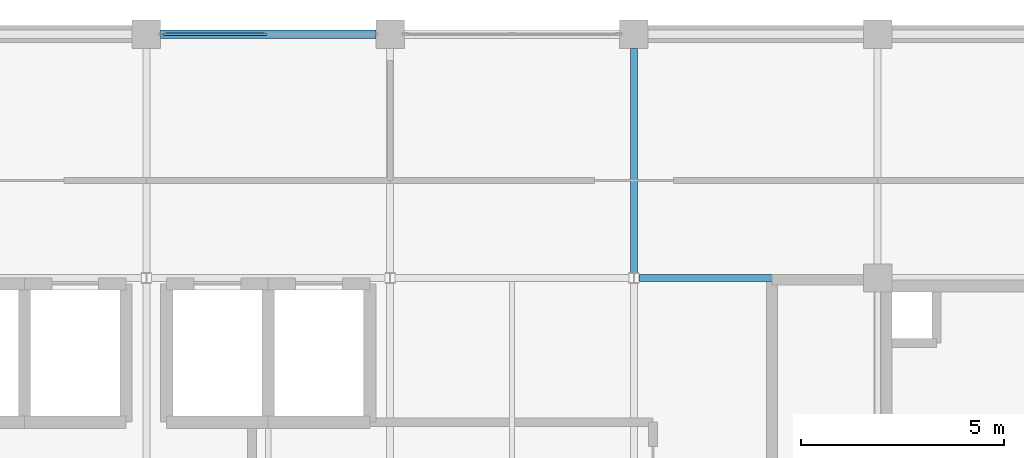
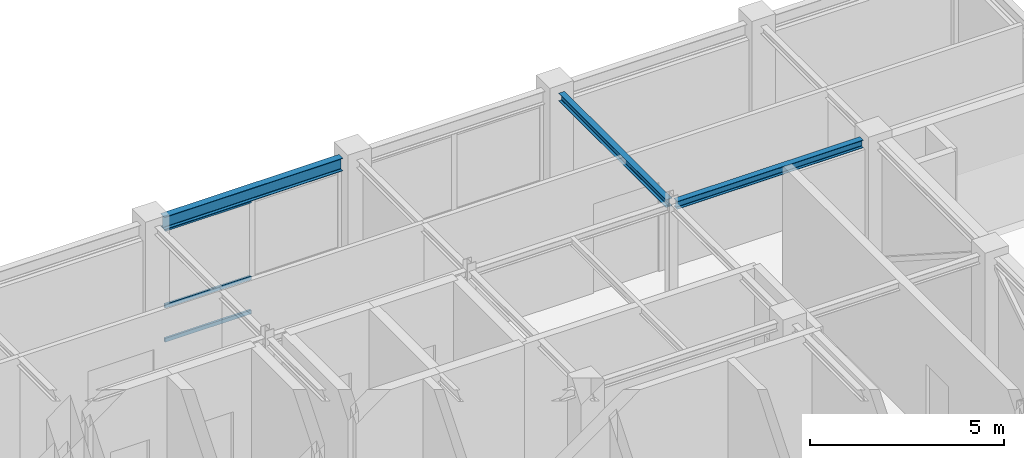
# One storey, part 9 of 14: 3 beams, 3 members, 1 element without a shape of its own.
"""IFC4 building model written with IfcOpenShell, lengths in metres."""

from ifc_helpers import new_model, si_unit, direction, frame, origin, origin_2d, place, context, subcontext, project, spatial, hollow_rectangle, i_section, extrude, material, layer, layer_set, material_profile, profile_set, type_object, element, aggregate, save


model = new_model("IFC4")

# Units and contexts
model_context = context("Model", 3, precision=1e-05, world=origin(), true_north=direction((0.0, 1.0)))
body_context = subcontext(model_context, "Body", "Model", "MODEL_VIEW")
ifc_project = project(units=[si_unit("LENGTHUNIT", "METRE"), si_unit("AREAUNIT", "SQUARE_METRE"), si_unit("VOLUMEUNIT", "CUBIC_METRE"), si_unit("PLANEANGLEUNIT", "RADIAN"), si_unit("MASSUNIT", "GRAM", prefix="KILO")], contexts=[model_context])

# Site, building, storey
site_placement = place(None, origin())
site = spatial("IfcSite", under=ifc_project, at=site_placement, CompositionType="ELEMENT")
building_placement = place(site_placement, origin())
building = spatial("IfcBuilding", under=site, at=building_placement, Name="Zlatovratsky Civic Hall", CompositionType="ELEMENT")
storey_placement = place(building_placement, frame((0.0, 0.0, 67.800048828125)))
storey = spatial("IfcBuildingStorey", under=building, at=storey_placement, Name="L17", CompositionType="ELEMENT", Elevation=67.800048828125)

# Beams
ifc_material_1 = material(Name="Steel S355", Category="steel")
ifc_material_profile_1 = material_profile(ifc_material_1, i_section(OverallWidth=0.175048828125, OverallDepth=0.243896484375, WebThickness=0.007080078125, FlangeThickness=0.010986328125, FilletRadius=0.01611328125, at=origin_2d()), Name="25Sh1")
ifc_profile_set_1 = profile_set([ifc_material_profile_1], Name="Steel S355")
beam_type_1 = type_object("IfcBeamType", Name="Beam_Crown_25Sh1", PredefinedType="BEAM", material=ifc_profile_set_1)
for number, where, z_axis, x_axis, name in (
    (1, (90.125, 96.0, 3.837890625), (1.0, 0.0, 0.0), (0.0, 1.0, 0.0), "BM-5213"),
    (2, (90.0, 96.125, 3.837890625), (0.0, 1.0, 0.0), (-1.0, 0.0, 0.0), "BM-5240"),
):
    element("IfcBeam", number, at=place(storey_placement, frame(where, z_axis=z_axis, x_axis=x_axis)), inside=storey, type_object=beam_type_1, Name=name, PredefinedType="BEAM", context=body_context, shape_type="SweptSolid", body=[
        extrude(i_section(OverallWidth=0.175048828125, OverallDepth=0.243896484375, WebThickness=0.007080078125, FlangeThickness=0.010986328125, FilletRadius=0.01611328125, at=origin_2d()), origin(), (0.0, 0.0, 1.0), 5.52490234375),
    ])
ifc_material_profile_2 = material_profile(ifc_material_1, i_section(OverallWidth=0.199951171875, OverallDepth=0.39990234375, WebThickness=0.008056640625, FlangeThickness=0.012939453125, FilletRadius=0.014892578125, at=origin_2d()), Name="40B2")
ifc_profile_set_2 = profile_set([ifc_material_profile_2], Name="Steel S355")
beam_type_2 = type_object("IfcBeamType", Name="Beam_Spandrel_40B2", PredefinedType="SPANDREL", material=ifc_profile_set_2)
beam_placement = place(storey_placement, frame((78.35009765625, 102.0, 3.760009765625), z_axis=(1.0, 0.0, 0.0), x_axis=(0.0, 1.0, 0.0)))
element("IfcBeam", 3, at=beam_placement, inside=storey, type_object=beam_type_2, Name="BM-5217", PredefinedType="SPANDREL", context=body_context, shape_type="SweptSolid", body=[
    extrude(i_section(OverallWidth=0.199951171875, OverallDepth=0.39990234375, WebThickness=0.008056640625, FlangeThickness=0.012939453125, FilletRadius=0.014892578125, at=origin_2d()), origin(), (0.0, 0.0, 1.0), 5.2998046875),
])

# Curtain wall, members
ifc_material_2 = material(Name="Anodised bronze aluminium", Category="aluminium")
ifc_layer = layer(ifc_material_2, 0.159912109375)
ifc_layer_set = layer_set([ifc_layer], Name="Anodised bronze aluminium")
curtain_wall_type = type_object("IfcCurtainWallType", Name="CurtainWall_Bronze_5300x3540_25", PredefinedType="NOTDEFINED", material=ifc_layer_set)
curtain_wall_placement = place(storey_placement, origin())
curtain_wall = element("IfcCurtainWall", 4, at=curtain_wall_placement, inside=storey, type_object=curtain_wall_type, Name="CW-179", PredefinedType="NOTDEFINED")
ifc_material_profile_3 = material_profile(ifc_material_2, hollow_rectangle(XDim=0.06005859375, YDim=0.1201171875, WallThickness=0.00390625, at=origin_2d()), Name="ALU 60x120x4")
ifc_profile_set_3 = profile_set([ifc_material_profile_3], Name="Anodised bronze aluminium")
member_type = type_object("IfcMemberType", Name="CW_Transom_60x120", PredefinedType="USERDEFINED", material=ifc_profile_set_3)
member_1_placement = place(storey_placement, frame((78.409912109375, 102.0, 0.030029296875), z_axis=(1.0, 0.0, 0.0), x_axis=(0.0, 1.0, 0.0)))
member_1 = element("IfcMember", 5, at=member_1_placement, type_object=member_type, Name="CW-25 transom 1.1", ObjectType="TRANSOM", PredefinedType="USERDEFINED", context=body_context, shape_type="SweptSolid", body=[
    extrude(hollow_rectangle(XDim=0.06005859375, YDim=0.1201171875, WallThickness=0.00390625, at=origin_2d()), origin(), (0.0, 0.0, 1.0), 2.56005859375),
])
member_2_placement = place(storey_placement, frame((78.409912109375, 102.0, 1.099853515625), z_axis=(1.0, 0.0, 0.0), x_axis=(0.0, 1.0, 0.0)))
member_2 = element("IfcMember", 6, at=member_2_placement, type_object=member_type, Name="CW-25 transom 1.2", ObjectType="TRANSOM", PredefinedType="USERDEFINED", context=body_context, shape_type="SweptSolid", body=[
    extrude(hollow_rectangle(XDim=0.06005859375, YDim=0.1201171875, WallThickness=0.00390625, at=origin_2d()), origin(), (0.0, 0.0, 1.0), 2.56005859375),
])
member_3_placement = place(storey_placement, frame((78.409912109375, 102.0, 3.510009765625), z_axis=(1.0, 0.0, 0.0), x_axis=(0.0, 1.0, 0.0)))
member_3 = element("IfcMember", 7, at=member_3_placement, type_object=member_type, Name="CW-25 transom 1.3", ObjectType="TRANSOM", PredefinedType="USERDEFINED", context=body_context, shape_type="SweptSolid", body=[
    extrude(hollow_rectangle(XDim=0.06005859375, YDim=0.1201171875, WallThickness=0.00390625, at=origin_2d()), origin(), (0.0, 0.0, 1.0), 2.56005859375),
])
aggregate(curtain_wall, [member_1, member_2, member_3])

save(model, "model.ifc")
